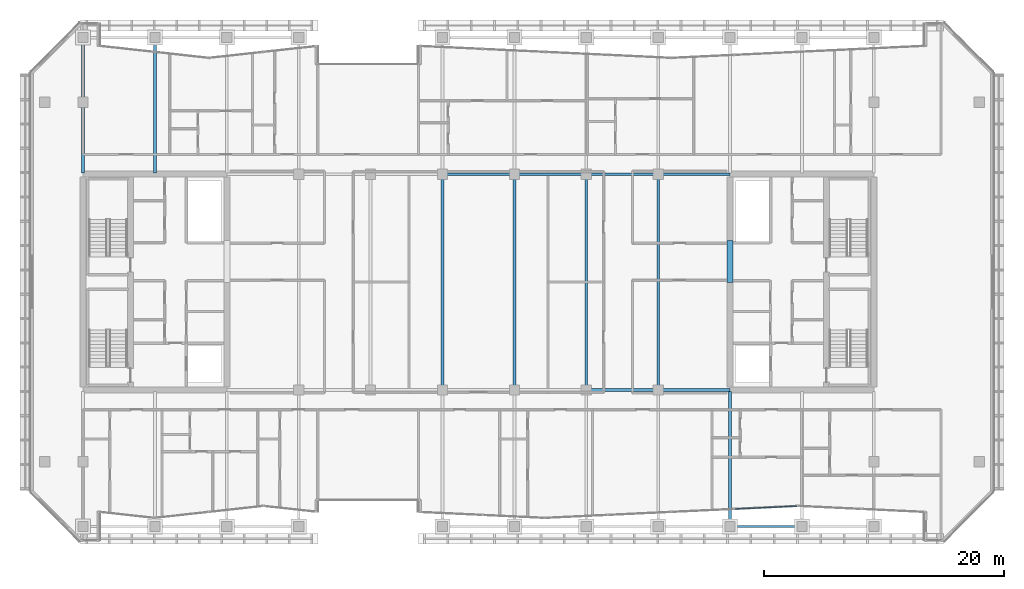
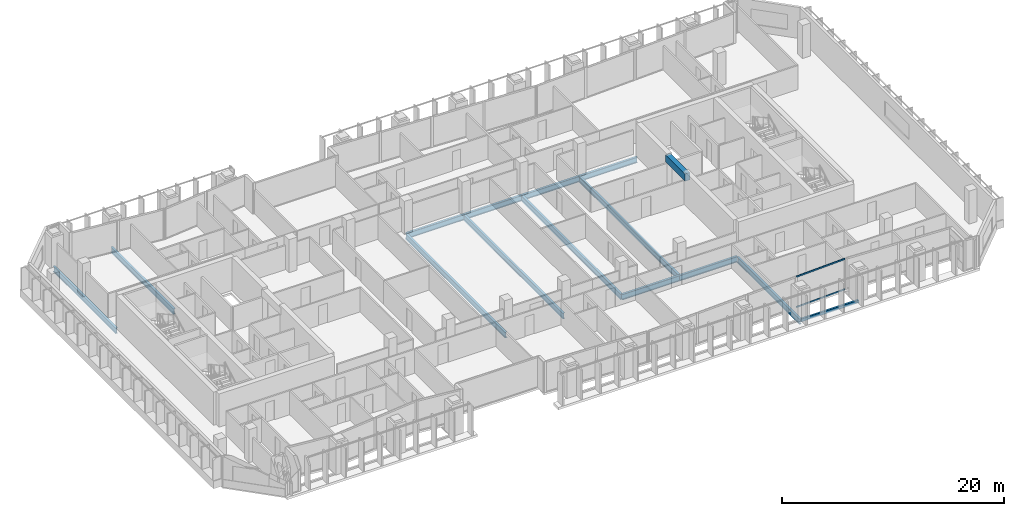
# One storey, part 8 of 29: 15 beams, 2 members, 1 element without a shape of its own.
"""IFC4 building model written with IfcOpenShell, lengths in metres."""

from ifc_helpers import new_model, si_unit, direction, frame, origin, origin_2d, place, context, subcontext, project, spatial, rectangle, hollow_rectangle, i_section, extrude, material, layer, layer_set, material_profile, profile_set, type_object, element, aggregate, save


model = new_model("IFC4")

# Units and contexts
model_context = context("Model", 3, precision=1e-05, world=origin(), true_north=direction((0.0, 1.0)))
body_context = subcontext(model_context, "Body", "Model", "MODEL_VIEW")
ifc_project = project(units=[si_unit("LENGTHUNIT", "METRE"), si_unit("AREAUNIT", "SQUARE_METRE"), si_unit("VOLUMEUNIT", "CUBIC_METRE"), si_unit("PLANEANGLEUNIT", "RADIAN"), si_unit("MASSUNIT", "GRAM", prefix="KILO")], contexts=[model_context])

# Site, building, storey
site_placement = place(None, origin())
site = spatial("IfcSite", under=ifc_project, at=site_placement, CompositionType="ELEMENT")
building_placement = place(site_placement, origin())
building = spatial("IfcBuilding", under=site, at=building_placement, Name="Tanjung Sevakor Pilgrim Tower", CompositionType="ELEMENT")
storey_placement = place(building_placement, frame((0.0, 0.0, 162.030029296875)))
storey = spatial("IfcBuildingStorey", under=building, at=storey_placement, Name="L45", CompositionType="ELEMENT", Elevation=162.030029296875)

# Beams
ifc_material_1 = material(Name="Steel S355J2", Category="steel")
ifc_material_profile_1 = material_profile(ifc_material_1, i_section(OverallWidth=0.230224609375, OverallDepth=0.6171875, WebThickness=0.01318359375, FlangeThickness=0.022216796875, FilletRadius=0.0126953125, at=origin_2d()))
ifc_profile_set_1 = profile_set([ifc_material_profile_1], Name="Steel S355J2")
beam_type_1 = type_object("IfcBeamType", Name="BM-B-G3-UB_610x229x140", PredefinedType="BEAM", material=ifc_profile_set_1)
for number, where, z_axis, x_axis, name in (
    (1, (66.0, 24.60009765625, -0.528564453125), (1.0, 0.0, 0.0), (0.0, 1.0, 0.0), "L45 Primary Floor Girder MAIN Y246-06"),
    (2, (72.0, 24.60009765625, -0.528564453125), (1.0, 0.0, 0.0), (0.0, 1.0, 0.0), "L45 Primary Floor Girder MAIN Y246-07"),
    (3, (54.0, 42.60009765625, -0.528564453125), (1.0, 0.0, 0.0), (0.0, 1.0, 0.0), "L45 Primary Floor Girder MAIN Y426-04"),
    (4, (60.0, 42.60009765625, -0.528564453125), (1.0, 0.0, 0.0), (0.0, 1.0, 0.0), "L45 Primary Floor Girder MAIN Y426-05"),
    (5, (66.0, 42.60009765625, -0.528564453125), (1.0, 0.0, 0.0), (0.0, 1.0, 0.0), "L45 Primary Floor Girder MAIN Y426-06"),
    (6, (72.0, 42.60009765625, -0.528564453125), (1.0, 0.0, 0.0), (0.0, 1.0, 0.0), "L45 Primary Floor Girder MAIN Y426-07"),
):
    element("IfcBeam", number, at=place(storey_placement, frame(where, z_axis=z_axis, x_axis=x_axis)), inside=storey, type_object=beam_type_1, Name=name, PredefinedType="BEAM", context=body_context, shape_type="SweptSolid", body=[
        extrude(i_section(OverallWidth=0.230224609375, OverallDepth=0.6171875, WebThickness=0.01318359375, FlangeThickness=0.022216796875, FilletRadius=0.0126953125, at=origin_2d()), origin(), (0.0, 0.0, 1.0), 6.0),
    ])
ifc_material_2 = material(Name="Steel S355J2", Category="steel")
ifc_material_profile_2 = material_profile(ifc_material_2, i_section(OverallWidth=0.22900390625, OverallDepth=0.6123046875, WebThickness=0.011962890625, FlangeThickness=0.01953125, FilletRadius=0.0126953125, at=origin_2d()))
ifc_profile_set_2 = profile_set([ifc_material_profile_2], Name="Steel S355J2")
beam_type_2 = type_object("IfcBeamType", Name="BM-B-G4-UB_610x229x125", PredefinedType="BEAM", material=ifc_profile_set_2)
for number, where, z_axis, x_axis, name in (
    (7, (24.0, 42.715087890625, -0.526123046875), (0.0, 1.0, 0.0), (-1.0, 0.0, 0.0), "L45 MAIN Girder 002"),
    (8, (30.0, 42.715087890625, -0.526123046875), (0.0, 1.0, 0.0), (-1.0, 0.0, 0.0), "L45 MAIN Girder 004"),
):
    element("IfcBeam", number, at=place(storey_placement, frame(where, z_axis=z_axis, x_axis=x_axis)), inside=storey, type_object=beam_type_2, Name=name, PredefinedType="BEAM", context=body_context, shape_type="SweptSolid", body=[
        extrude(i_section(OverallWidth=0.22900390625, OverallDepth=0.6123046875, WebThickness=0.011962890625, FlangeThickness=0.01953125, FilletRadius=0.0126953125, at=origin_2d()), origin(), (0.0, 0.0, 1.0), 11.284912109375),
    ])
for number, where, z_axis, x_axis, name in (
    (9, (54.0, 24.60009765625, -0.526123046875), (0.0, 1.0, 0.0), (-1.0, 0.0, 0.0), "L45 MAIN Girder 012"),
    (10, (60.0, 24.60009765625, -0.526123046875), (0.0, 1.0, 0.0), (-1.0, 0.0, 0.0), "L45 MAIN Girder 015"),
    (11, (66.0, 24.60009765625, -0.526123046875), (0.0, 1.0, 0.0), (-1.0, 0.0, 0.0), "L45 MAIN Girder 018"),
    (12, (72.0, 24.60009765625, -0.526123046875), (0.0, 1.0, 0.0), (-1.0, 0.0, 0.0), "L45 MAIN Girder 021"),
):
    element("IfcBeam", number, at=place(storey_placement, frame(where, z_axis=z_axis, x_axis=x_axis)), inside=storey, type_object=beam_type_2, Name=name, PredefinedType="BEAM", context=body_context, shape_type="SweptSolid", body=[
        extrude(i_section(OverallWidth=0.22900390625, OverallDepth=0.6123046875, WebThickness=0.011962890625, FlangeThickness=0.01953125, FilletRadius=0.0126953125, at=origin_2d()), origin(), (0.0, 0.0, 1.0), 18.0),
    ])
beam_1_placement = place(storey_placement, frame((78.0, 13.199951171875, -0.526123046875), z_axis=(0.0, 1.0, 0.0), x_axis=(-1.0, 0.0, 0.0)))
element("IfcBeam", 13, at=beam_1_placement, inside=storey, type_object=beam_type_2, Name="L45 MAIN Girder 023", PredefinedType="BEAM", context=body_context, shape_type="SweptSolid", body=[
    extrude(i_section(OverallWidth=0.22900390625, OverallDepth=0.6123046875, WebThickness=0.011962890625, FlangeThickness=0.01953125, FilletRadius=0.0126953125, at=origin_2d()), origin(), (0.0, 0.0, 1.0), 11.284912109375),
])
ifc_material_3 = material(Name="Concrete C60/75", Category="concrete")
ifc_material_profile_3 = material_profile(ifc_material_3, rectangle(XDim=0.5, YDim=0.800048828125, at=origin_2d()))
ifc_profile_set_3 = profile_set([ifc_material_profile_3], Name="Concrete C60/75")
beam_type_3 = type_object("IfcBeamType", Name="BM-B-LN2-RC-BM_500x800", PredefinedType="LINTEL", material=ifc_profile_set_3)
beam_2_placement = place(storey_placement, frame((78.0, 33.550048828125, 3.010009765625), z_axis=(0.0, 1.0, 0.0), x_axis=(-1.0, 0.0, 0.0)))
element("IfcBeam", 14, at=beam_2_placement, inside=storey, type_object=beam_type_3, Name="L45 E Core Coupling Lintel", PredefinedType="LINTEL", context=body_context, shape_type="SweptSolid", body=[
    extrude(rectangle(XDim=0.5, YDim=0.800048828125, at=origin_2d()), origin(), (0.0, 0.0, 1.0), 3.5),
])
ifc_material_4 = material(Name="Steel S355J2", Category="steel")
ifc_material_profile_4 = material_profile(ifc_material_4, hollow_rectangle(XDim=0.199951171875, YDim=0.300048828125, WallThickness=0.012451171875, at=origin_2d()))
ifc_profile_set_4 = profile_set([ifc_material_profile_4], Name="Steel S355J2")
beam_type_4 = type_object("IfcBeamType", Name="BM-B-SP3-RHS_300x200x12.5", PredefinedType="SPANDREL", material=ifc_profile_set_4)
beam_3_placement = place(storey_placement, frame((78.0, 13.199951171875, -0.3701171875), z_axis=(1.0, 0.0, 0.0), x_axis=(0.0, 1.0, 0.0)))
element("IfcBeam", 15, at=beam_3_placement, inside=storey, type_object=beam_type_4, Name="L45 Spandrel MAIN S-15", PredefinedType="SPANDREL", context=body_context, shape_type="SweptSolid", body=[
    extrude(hollow_rectangle(XDim=0.199951171875, YDim=0.300048828125, WallThickness=0.012451171875, at=origin_2d()), origin(), (0.0, 0.0, 1.0), 6.0),
])

# Curtain wall, members
ifc_material_5 = material(Name="Aluminium 6063-T6 and Low-E Glass", Category="aluminium")
ifc_layer = layer(ifc_material_5, 0.199951171875)
ifc_layer_set = layer_set([ifc_layer], Name="CW-SYS-PRAY")
curtain_wall_type = type_object("IfcCurtainWallType", Name="CW-SYS-PRAY", PredefinedType="NOTDEFINED", material=ifc_layer_set)
curtain_wall_placement = place(storey_placement, origin())
curtain_wall = element("IfcCurtainWall", 16, at=curtain_wall_placement, inside=storey, type_object=curtain_wall_type, Name="L45 Curtain Wall CW-PRY-L45-11", PredefinedType="NOTDEFINED")
ifc_material_6 = material(Name="Aluminium 6063-T6", Category="aluminium")
ifc_material_profile_5 = material_profile(ifc_material_6, hollow_rectangle(XDim=0.074951171875, YDim=0.159912109375, WallThickness=0.00439453125, at=origin_2d()))
ifc_profile_set_5 = profile_set([ifc_material_profile_5], Name="Aluminium 6063-T6")
member_type = type_object("IfcMemberType", Name="TYPE-CWT-2", PredefinedType="USERDEFINED", material=ifc_profile_set_5)
member_1_placement = place(storey_placement, frame((78.409423828125, 14.65673828125, 0.037353515625), z_axis=(0.998878367882, 0.047349827638, 0.0), x_axis=(-0.047349827638, 0.998878367882, 0.0)))
member_1 = element("IfcMember", 17, at=member_1_placement, type_object=member_type, Name="CW-PRY transom 2.1", ObjectType="TRANSOM", PredefinedType="USERDEFINED", context=body_context, shape_type="SweptSolid", body=[
    extrude(hollow_rectangle(XDim=0.074951171875, YDim=0.159912109375, WallThickness=0.00439453125, at=origin_2d()), origin(), (0.0, 0.0, 1.0), 5.171630859375),
])
member_2_placement = place(storey_placement, frame((78.409423828125, 14.65673828125, 3.37255859375), z_axis=(0.998878367882, 0.047349827638, 0.0), x_axis=(-0.047349827638, 0.998878367882, 0.0)))
member_2 = element("IfcMember", 18, at=member_2_placement, type_object=member_type, Name="CW-PRY transom 2.2", ObjectType="TRANSOM", PredefinedType="USERDEFINED", context=body_context, shape_type="SweptSolid", body=[
    extrude(hollow_rectangle(XDim=0.074951171875, YDim=0.159912109375, WallThickness=0.00439453125, at=origin_2d()), origin(), (0.0, 0.0, 1.0), 5.171630859375),
])
aggregate(curtain_wall, [member_1, member_2])

save(model, "model.ifc")
